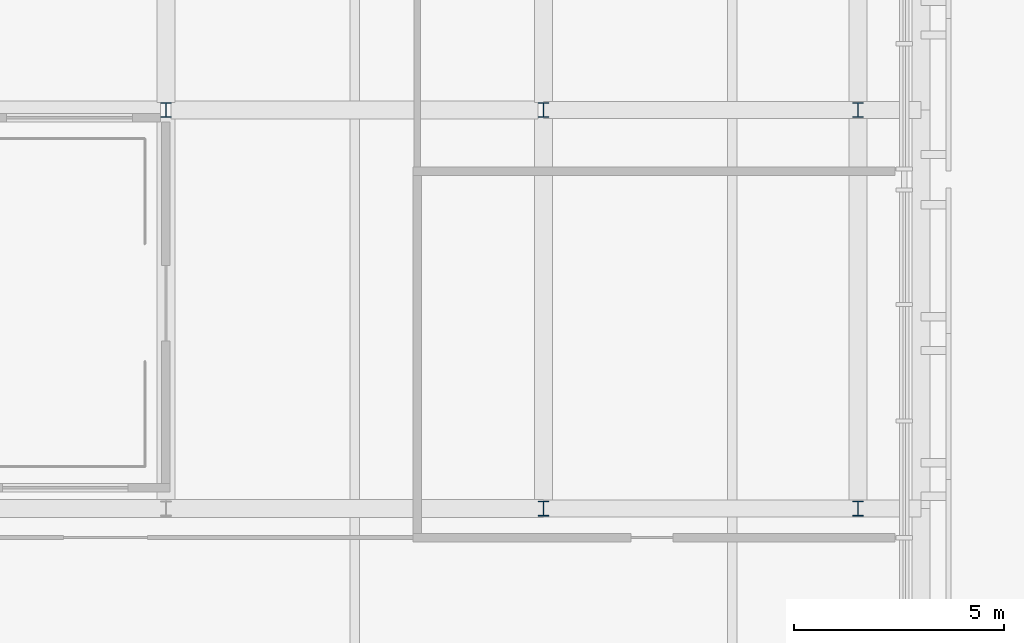
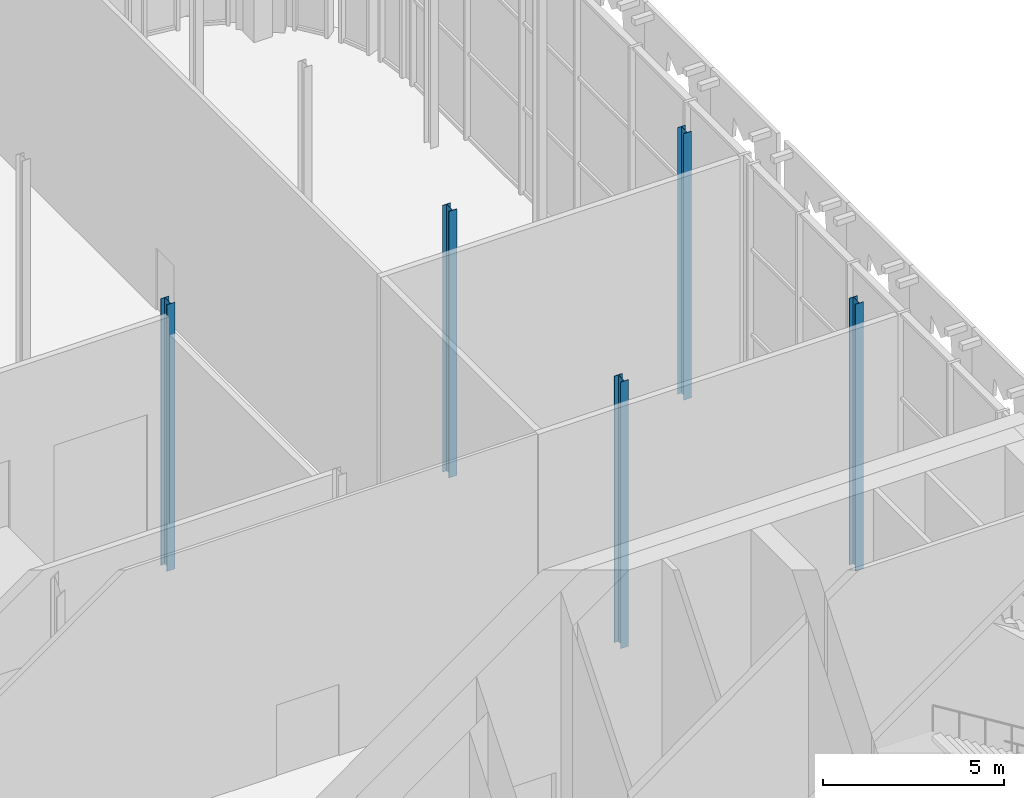
# One storey, part 2 of 26: 5 columns.
"""IFC4 building model written with IfcOpenShell, lengths in metres."""

from ifc_helpers import new_model, si_unit, direction, frame, origin, origin_2d, place, context, subcontext, project, spatial, i_section, extrude, material, material_profile, profile_set, type_object, element, save


model = new_model("IFC4")

# Units and contexts
model_context = context("Model", 3, precision=1e-05, world=origin(), true_north=direction((0.0, 1.0)))
body_context = subcontext(model_context, "Body", "Model", "MODEL_VIEW")
ifc_project = project(units=[si_unit("LENGTHUNIT", "METRE"), si_unit("AREAUNIT", "SQUARE_METRE"), si_unit("VOLUMEUNIT", "CUBIC_METRE"), si_unit("PLANEANGLEUNIT", "RADIAN"), si_unit("MASSUNIT", "GRAM", prefix="KILO")], contexts=[model_context])

# Site, building, storey
site_placement = place(None, origin())
site = spatial("IfcSite", under=ifc_project, at=site_placement, CompositionType="ELEMENT")
building_placement = place(site_placement, origin())
building = spatial("IfcBuilding", under=site, at=building_placement, Name="Zellij Exchange Tower", CompositionType="ELEMENT")
storey_placement = place(building_placement, frame((0.0, 0.0, 296.5)))
storey = spatial("IfcBuildingStorey", under=building, at=storey_placement, Name="L70", CompositionType="ELEMENT", Elevation=296.5)

# Columns
ifc_material = material(Name="Structural steel ASTM A992 Gr 50", Category="steel")
ifc_material_profile = material_profile(ifc_material, i_section(OverallWidth=0.25390625, OverallDepth=0.35302734375, WebThickness=0.009521484375, FlangeThickness=0.016357421875, at=origin_2d()), Name="W14x61")
ifc_profile_set = profile_set([ifc_material_profile], Name="Structural steel ASTM A992 Gr 50")
column_type = type_object("IfcColumnType", Name="STR-COLUMN W14x61", PredefinedType="COLUMN", material=ifc_profile_set)
for number, where, z_axis, x_axis, name in (
    (1, (18.0, 4.5, 0.0), (0.0, 0.0, 1.0), (1.0, 0.0, 0.0), "C6"),
    (2, (25.5, 4.5, 0.0), (0.0, 0.0, 1.0), (1.0, 0.0, 0.0), "C6"),
    (3, (9.0, 14.0, 0.0), (0.0, 0.0, 1.0), (1.0, 0.0, 0.0), "C6"),
    (4, (18.0, 14.0, 0.0), (0.0, 0.0, 1.0), (1.0, 0.0, 0.0), "C6"),
    (5, (25.5, 14.0, 0.0), (0.0, 0.0, 1.0), (1.0, 0.0, 0.0), "C6"),
):
    element("IfcColumn", number, at=place(storey_placement, frame(where, z_axis=z_axis, x_axis=x_axis)), inside=storey, type_object=column_type, Name=name, PredefinedType="COLUMN", context=body_context, shape_type="SweptSolid", body=[
        extrude(i_section(OverallWidth=0.25390625, OverallDepth=0.35302734375, WebThickness=0.009521484375, FlangeThickness=0.016357421875, at=origin_2d()), origin(), (0.0, 0.0, 1.0), 9.0),
    ])

save(model, "model.ifc")
